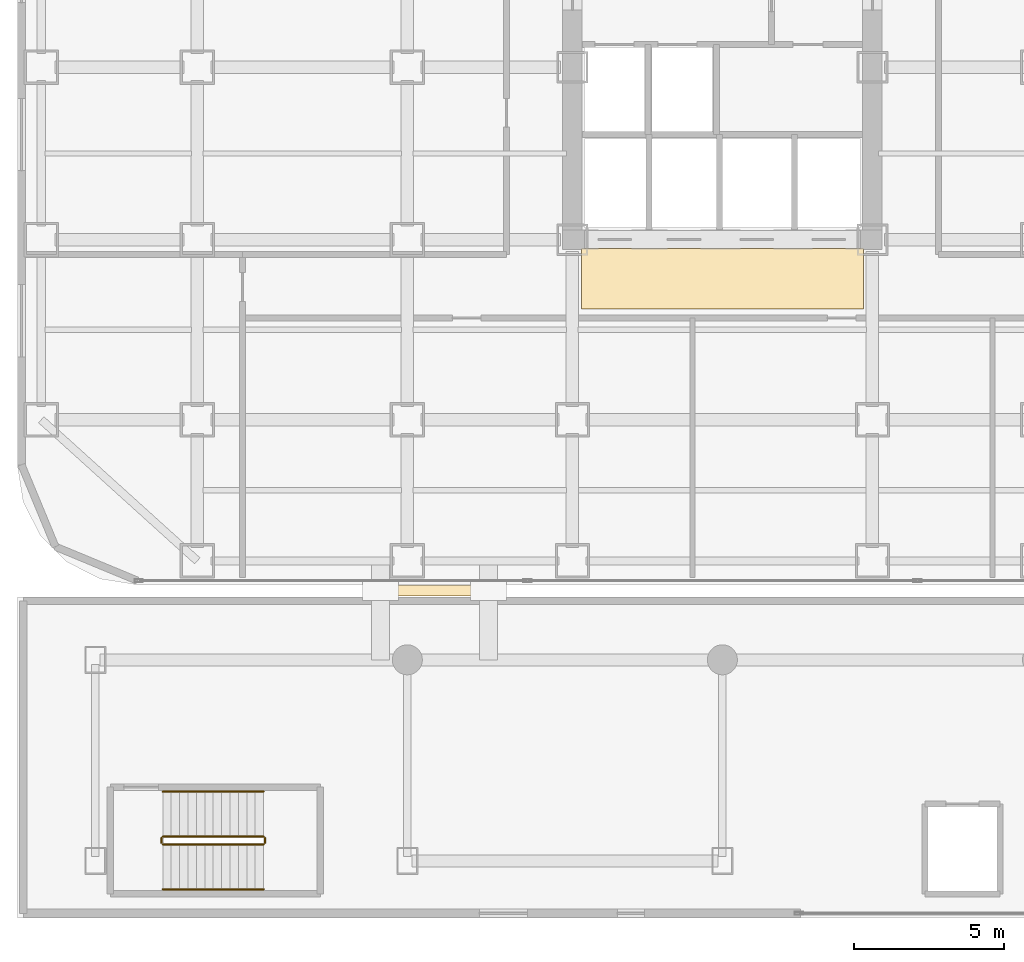
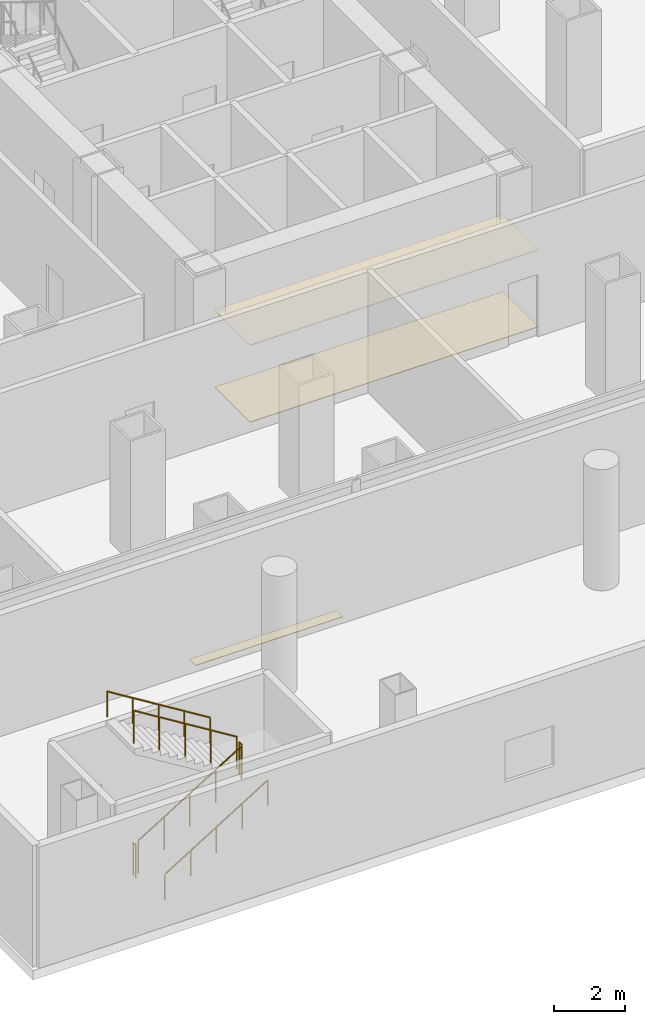
# One storey, part 23 of 26: 6 railings, 3 coverings.
"""IFC4 building model written with IfcOpenShell, lengths in metres."""

from ifc_helpers import new_model, si_unit, direction, frame, origin, origin_2d, place, context, subcontext, project, spatial, polyline, circle, outline, extrude, material, layer, layer_set, type_object, element, save


model = new_model("IFC4")

# Units and contexts
model_context = context("Model", 3, precision=1e-05, world=origin(), true_north=direction((0.0, 1.0)))
body_context = subcontext(model_context, "Body", "Model", "MODEL_VIEW")
ifc_project = project(units=[si_unit("LENGTHUNIT", "METRE"), si_unit("AREAUNIT", "SQUARE_METRE"), si_unit("VOLUMEUNIT", "CUBIC_METRE"), si_unit("PLANEANGLEUNIT", "RADIAN"), si_unit("MASSUNIT", "GRAM", prefix="KILO")], contexts=[model_context])

# Site, building, storey
site_placement = place(None, origin())
site = spatial("IfcSite", under=ifc_project, at=site_placement, CompositionType="ELEMENT")
building_placement = place(site_placement, origin())
building = spatial("IfcBuilding", under=site, at=building_placement, Name="Kolveth Station Tower", CompositionType="ELEMENT")
storey_placement = place(building_placement, frame((0.0, 0.0, 4.5)))
storey = spatial("IfcBuildingStorey", under=building, at=storey_placement, Name="L01", CompositionType="ELEMENT", Elevation=4.5)

# Coverings
ifc_material_1 = material(Name="Acoustic mineral-fibre ceiling tile")
ifc_layer_1 = layer(ifc_material_1, 0.02490234375)
ifc_layer_set_1 = layer_set([ifc_layer_1], Name="Acoustic mineral-fibre ceiling tile")
covering_type_1 = type_object("IfcCoveringType", Name="Ceil_CL1", PredefinedType="CEILING", material=ifc_layer_set_1)
covering_1_placement = place(storey_placement, frame((0.0, 0.0, 2.64990234375)))
element("IfcCovering", 1, at=covering_1_placement, inside=storey, type_object=covering_type_1, Name="L01 Lift Lobby Suspended Ceiling", PredefinedType="CEILING", context=body_context, shape_type="SweptSolid", body=[
    extrude(outline(polyline([(18.800048828125, 9.199951171875), (28.199951171875, 9.199951171875), (28.199951171875, 11.199951171875), (18.800048828125, 11.199951171875), (18.800048828125, 9.199951171875)])), origin(), (0.0, 0.0, 1.0), 0.025146484375),
])
ifc_material_2 = material(Name="Honed terrazzo flooring")
ifc_layer_2 = layer(ifc_material_2, 0.02001953125)
ifc_layer_set_2 = layer_set([ifc_layer_2], Name="Honed terrazzo flooring")
covering_type_2 = type_object("IfcCoveringType", Name="Floor_FL1", PredefinedType="FLOORING", material=ifc_layer_set_2)
covering_2_placement = place(storey_placement, frame((0.0, 0.0, -0.02001953125)))
element("IfcCovering", 2, at=covering_2_placement, inside=storey, type_object=covering_type_2, Name="L01 Seismic Joint Concourse Threshold Flooring 1", PredefinedType="FLOORING", context=body_context, shape_type="SweptSolid", body=[
    extrude(outline(polyline([(11.5, -0.3798828125), (16.300048828125, -0.3798828125), (16.300048828125, -0.02001953125), (11.5, -0.02001953125), (11.5, -0.3798828125)])), origin(), (0.0, 0.0, 1.0), 0.02001953125),
])
covering_3_placement = place(storey_placement, origin())
element("IfcCovering", 3, at=covering_3_placement, inside=storey, type_object=covering_type_2, Name="L01 Lift Lobby Floor Finish", PredefinedType="FLOORING", context=body_context, shape_type="SweptSolid", body=[
    extrude(outline(polyline([(18.800048828125, 9.199951171875), (28.199951171875, 9.199951171875), (28.199951171875, 11.199951171875), (18.800048828125, 11.199951171875), (18.800048828125, 9.199951171875)])), origin(), (0.0, 0.0, 1.0), 0.02001953125),
])

# Railings
ifc_material_3 = material(Name="Painted Steel S355 balustrade", Category="steel")
railing_type_1 = type_object("IfcRailingType", Name="Guard_GR2", PredefinedType="BALUSTRADE", material=ifc_material_3)
railing_1_placement = place(storey_placement, frame((4.85009765625, -8.64990234375, 0.173095703125)))
element("IfcRailing", 4, at=railing_1_placement, inside=storey, type_object=railing_type_1, Name="L01 ST5 stair guard 1", PredefinedType="BALUSTRADE", context=body_context, shape_type="SweptSolid", body=[
    extrude(circle(Radius=0.02392578125, at=origin_2d()), frame((0.0, 0.0, 1.1259765625), z_axis=(0.850606129759, 0.0, 0.525803396734), x_axis=(0.0, 1.0, 0.0)), (0.0, 0.0, 1.0), 3.949951171875),
    extrude(circle(Radius=0.02099609375, at=origin_2d()), origin(), (0.0, 0.0, 1.0), 1.101806640625),
    extrude(circle(Radius=0.02099609375, at=origin_2d()), frame((0.83984375, 0.0, 0.519287109375)), (0.0, 0.0, 1.0), 1.101806640625),
    extrude(circle(Radius=0.02099609375, at=origin_2d()), frame((1.679931640625, 0.0, 1.03857421875)), (0.0, 0.0, 1.0), 1.101806640625),
    extrude(circle(Radius=0.02099609375, at=origin_2d()), frame((2.52001953125, 0.0, 1.5576171875)), (0.0, 0.0, 1.0), 1.101806640625),
    extrude(circle(Radius=0.02099609375, at=origin_2d()), frame((3.35986328125, 0.0, 2.076904296875)), (0.0, 0.0, 1.0), 1.101806640625),
])
railing_2_placement = place(storey_placement, frame((8.260009765625, -8.60009765625, 2.25)))
element("IfcRailing", 5, at=railing_2_placement, inside=storey, type_object=railing_type_1, Name="L01 ST5 stair guard 2", PredefinedType="BALUSTRADE", context=body_context, shape_type="SweptSolid", body=[
    extrude(circle(Radius=0.02392578125, at=origin_2d()), frame((0.0, 0.0, 1.1259765625), z_axis=(0.0, 1.0, 0.0), x_axis=(-1.0, 0.0, 0.0)), (0.0, 0.0, 1.0), 0.16015625),
    extrude(circle(Radius=0.02099609375, at=origin_2d()), origin(), (0.0, 0.0, 1.0), 1.101806640625),
    extrude(circle(Radius=0.02099609375, at=origin_2d()), frame((0.0, 0.16015625, 0.0)), (0.0, 0.0, 1.0), 1.101806640625),
])
railing_3_placement = place(storey_placement, frame((8.2099609375, -8.389892578125, 2.423095703125)))
element("IfcRailing", 6, at=railing_3_placement, inside=storey, type_object=railing_type_1, Name="L01 ST5 stair guard 3", PredefinedType="BALUSTRADE", context=body_context, shape_type="SweptSolid", body=[
    extrude(circle(Radius=0.02392578125, at=origin_2d()), frame((0.0, 0.0, 1.1259765625), z_axis=(-0.850606129759, 0.0, 0.525803396734), x_axis=(0.0, -1.0, 0.0)), (0.0, 0.0, 1.0), 3.949951171875),
    extrude(circle(Radius=0.02099609375, at=origin_2d()), origin(), (0.0, 0.0, 1.0), 1.101806640625),
    extrude(circle(Radius=0.02099609375, at=origin_2d()), frame((-0.83984375, 0.0, 0.519287109375)), (0.0, 0.0, 1.0), 1.101806640625),
    extrude(circle(Radius=0.02099609375, at=origin_2d()), frame((-1.679931640625, 0.0, 1.03857421875)), (0.0, 0.0, 1.0), 1.101806640625),
    extrude(circle(Radius=0.02099609375, at=origin_2d()), frame((-2.52001953125, 0.0, 1.5576171875)), (0.0, 0.0, 1.0), 1.101806640625),
    extrude(circle(Radius=0.02099609375, at=origin_2d()), frame((-3.35986328125, 0.0, 2.076904296875)), (0.0, 0.0, 1.0), 1.101806640625),
])
railing_4_placement = place(storey_placement, frame((4.800048828125, -8.60009765625, 0.0)))
element("IfcRailing", 7, at=railing_4_placement, inside=storey, type_object=railing_type_1, Name="L01 ST5 stair guard 4", PredefinedType="BALUSTRADE", context=body_context, shape_type="SweptSolid", body=[
    extrude(circle(Radius=0.02392578125, at=origin_2d()), frame((0.0, 0.0, 1.1259765625), z_axis=(0.0, 1.0, 0.0), x_axis=(-1.0, 0.0, 0.0)), (0.0, 0.0, 1.0), 0.16015625),
    extrude(circle(Radius=0.02099609375, at=origin_2d()), origin(), (0.0, 0.0, 1.0), 1.101806640625),
    extrude(circle(Radius=0.02099609375, at=origin_2d()), frame((0.0, 0.16015625, 0.0)), (0.0, 0.0, 1.0), 1.101806640625),
])
ifc_material_4 = material(Name="Brushed stainless steel", Category="steel")
railing_type_2 = type_object("IfcRailingType", Name="Handrail_HR1", PredefinedType="HANDRAIL", material=ifc_material_4)
railing_5_placement = place(storey_placement, frame((4.85009765625, -10.14990234375, 0.173095703125)))
element("IfcRailing", 8, at=railing_5_placement, inside=storey, type_object=railing_type_2, Name="L01 ST5 stair handrail 1", PredefinedType="HANDRAIL", context=body_context, shape_type="SweptSolid", body=[
    extrude(circle(Radius=0.02392578125, at=origin_2d()), frame((0.0, 0.0, 0.8759765625), z_axis=(0.850606129759, 0.0, 0.525803396734), x_axis=(0.0, 1.0, 0.0)), (0.0, 0.0, 1.0), 3.949951171875),
    extrude(circle(Radius=0.02099609375, at=origin_2d()), origin(), (0.0, 0.0, 1.0), 0.851806640625),
    extrude(circle(Radius=0.02099609375, at=origin_2d()), frame((0.83984375, 0.0, 0.519287109375)), (0.0, 0.0, 1.0), 0.851806640625),
    extrude(circle(Radius=0.02099609375, at=origin_2d()), frame((1.679931640625, 0.0, 1.03857421875)), (0.0, 0.0, 1.0), 0.851806640625),
    extrude(circle(Radius=0.02099609375, at=origin_2d()), frame((2.52001953125, 0.0, 1.5576171875)), (0.0, 0.0, 1.0), 0.851806640625),
    extrude(circle(Radius=0.02099609375, at=origin_2d()), frame((3.35986328125, 0.0, 2.076904296875)), (0.0, 0.0, 1.0), 0.851806640625),
])
railing_6_placement = place(storey_placement, frame((8.2099609375, -6.889892578125, 2.423095703125)))
element("IfcRailing", 9, at=railing_6_placement, inside=storey, type_object=railing_type_2, Name="L01 ST5 stair handrail 2", PredefinedType="HANDRAIL", context=body_context, shape_type="SweptSolid", body=[
    extrude(circle(Radius=0.02392578125, at=origin_2d()), frame((0.0, 0.0, 0.8759765625), z_axis=(-0.850606129759, 0.0, 0.525803396734), x_axis=(0.0, -1.0, 0.0)), (0.0, 0.0, 1.0), 3.949951171875),
    extrude(circle(Radius=0.02099609375, at=origin_2d()), origin(), (0.0, 0.0, 1.0), 0.851806640625),
    extrude(circle(Radius=0.02099609375, at=origin_2d()), frame((-0.83984375, 0.0, 0.519287109375)), (0.0, 0.0, 1.0), 0.851806640625),
    extrude(circle(Radius=0.02099609375, at=origin_2d()), frame((-1.679931640625, 0.0, 1.03857421875)), (0.0, 0.0, 1.0), 0.851806640625),
    extrude(circle(Radius=0.02099609375, at=origin_2d()), frame((-2.52001953125, 0.0, 1.5576171875)), (0.0, 0.0, 1.0), 0.851806640625),
    extrude(circle(Radius=0.02099609375, at=origin_2d()), frame((-3.35986328125, 0.0, 2.076904296875)), (0.0, 0.0, 1.0), 0.851806640625),
])

save(model, "model.ifc")
